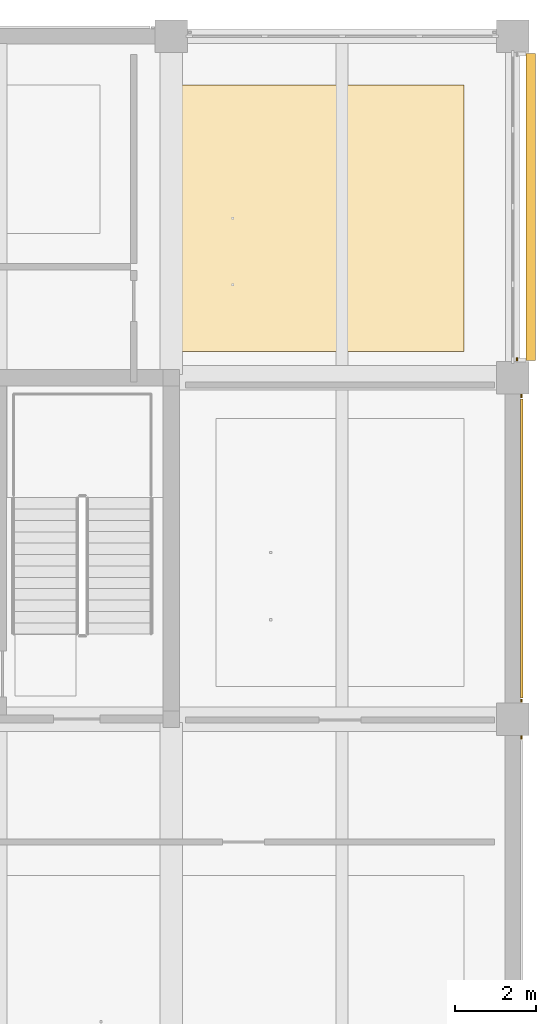
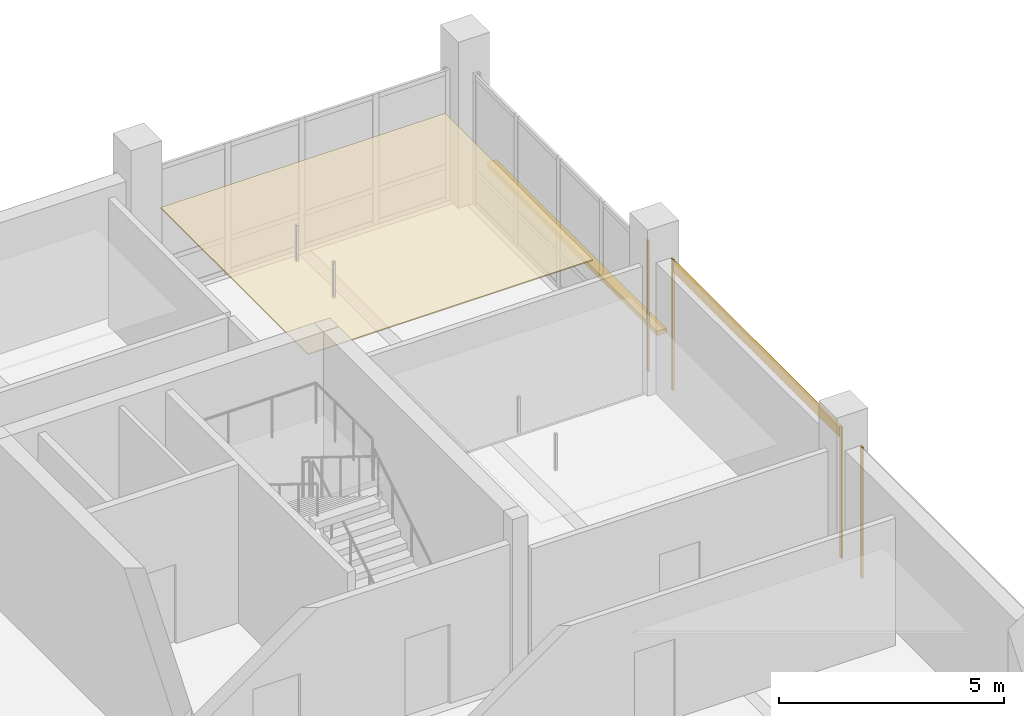
# One storey, part 31 of 35: 6 coverings, 1 shading device.
"""IFC4 building model written with IfcOpenShell, lengths in metres."""

from ifc_helpers import new_model, si_unit, direction, frame, origin, origin_2d, place, context, subcontext, project, spatial, polyline, rectangle, outline, extrude, material, layer, layer_set, type_object, element, save


model = new_model("IFC4")

# Units and contexts
model_context = context("Model", 3, precision=1e-05, world=origin(), true_north=direction((0.0, 1.0)))
body_context = subcontext(model_context, "Body", "Model", "MODEL_VIEW")
ifc_project = project(units=[si_unit("LENGTHUNIT", "METRE"), si_unit("AREAUNIT", "SQUARE_METRE"), si_unit("VOLUMEUNIT", "CUBIC_METRE"), si_unit("PLANEANGLEUNIT", "RADIAN"), si_unit("MASSUNIT", "GRAM", prefix="KILO")], contexts=[model_context])

# Site, building, storey
site_placement = place(None, origin())
site = spatial("IfcSite", under=ifc_project, at=site_placement, CompositionType="ELEMENT")
building_placement = place(site_placement, origin())
building = spatial("IfcBuilding", under=site, at=building_placement, Name="Telukmera Botanical Conservatory", CompositionType="ELEMENT")
storey_placement = place(building_placement, frame((0.0, 0.0, 28.5)))
storey = spatial("IfcBuildingStorey", under=building, at=storey_placement, Name="L06", CompositionType="ELEMENT", Elevation=28.5)

# Coverings
ifc_material_1 = material(Name="Mineral fibre acoustic ceiling")
ifc_layer_1 = layer(ifc_material_1, 0.030029296875)
ifc_layer_set_1 = layer_set([ifc_layer_1], Name="Mineral fibre acoustic ceiling")
covering_type_1 = type_object("IfcCoveringType", Name="COV-CEIL-30", PredefinedType="CEILING", material=ifc_layer_set_1)
covering_1_placement = place(storey_placement, frame((0.0, 0.0, 3.320068359375)))
element("IfcCovering", 1, at=covering_1_placement, inside=storey, type_object=covering_type_1, Name="L06 Curatorial Director Office Suspended Acoustic Ceiling", PredefinedType="CEILING", context=body_context, shape_type="SweptSolid", body=[
    extrude(outline(polyline([(100.699951171875, 35.050048828125), (108.0, 35.050048828125), (108.0, 41.60009765625), (100.699951171875, 41.60009765625), (100.699951171875, 35.050048828125)])), origin(), (0.0, 0.0, 1.0), 0.030029296875),
])
ifc_material_2 = material(Name="Granite-faced precast concrete C40/50", Category="masonry")
ifc_layer_2 = layer(ifc_material_2, 0.0400390625)
ifc_layer_set_2 = layer_set([ifc_layer_2], Name="Granite-faced precast concrete C40/50")
covering_type_2 = type_object("IfcCoveringType", Name="Granite Precast Column Pier Reveal Casing", PredefinedType="CLADDING", material=ifc_layer_set_2)
for number, where, z_axis, x_axis, name in (
    (2, (109.409912109375, 25.548095703125, 0.0), (0.0, 0.0, 1.0), (0.0, 1.0, 0.0), "Granite Pier Reveal V4:L06:E2 R"),
    (3, (109.409912109375, 26.451904296875, 0.0), (0.0, 0.0, 1.0), (0.0, 1.0, 0.0), "Granite Pier Reveal V4:L06:E3 L"),
    (4, (109.409912109375, 33.947998046875, 0.0), (0.0, 0.0, 1.0), (0.0, 1.0, 0.0), "Granite Pier Reveal V4:L06:E3 R"),
    (5, (109.300048828125, 34.85205078125, 0.0), (0.0, 0.0, 1.0), (0.0, 1.0, 0.0), "Granite Pier Reveal V4:L06:E4 L"),
):
    element("IfcCovering", number, at=place(storey_placement, frame(where, z_axis=z_axis, x_axis=x_axis)), inside=storey, type_object=covering_type_2, Name=name, PredefinedType="CLADDING", context=body_context, shape_type="SweptSolid", body=[
        extrude(rectangle(XDim=0.080078125, YDim=0.0400390625, at=origin_2d()), origin(), (0.0, 0.0, 1.0), 3.550048828125),
    ])

# Shading device
ifc_material_3 = material(Name="Perforated terracotta-anodised aluminium 6063-T6", Category="masonry")
ifc_layer_3 = layer(ifc_material_3, 0.044921875)
ifc_layer_set_3 = layer_set([ifc_layer_3], Name="Perforated terracotta-anodised aluminium 6063-T6")
shading_device_type = type_object("IfcShadingDeviceType", Name="Perforated Terracotta Aluminium Monsoon Brise Soleil", PredefinedType="JALOUSIE", material=ifc_layer_set_3)
shading_device_placement = place(storey_placement, frame((109.639892578125, 38.60009765625, 0.889892578125), z_axis=(0.0, 0.0, 1.0), x_axis=(0.0, 1.0, 0.0)))
element("IfcShadingDevice", 6, at=shading_device_placement, inside=storey, type_object=shading_device_type, Name="Monsoon Shading BS01 V4:L06:E4", PredefinedType="JALOUSIE", context=body_context, shape_type="SweptSolid", body=[
    extrude(rectangle(XDim=7.555908203125, YDim=0.239990234375, at=origin_2d()), origin(), (0.0, 0.0, 1.0), 0.1201171875),
])

# Covering
ifc_material_4 = material(Name="Terracotta-faced precast concrete C40/50", Category="masonry")
ifc_layer_4 = layer(ifc_material_4, 0.06005859375)
ifc_layer_set_4 = layer_set([ifc_layer_4], Name="Terracotta-faced precast concrete C40/50")
covering_type_3 = type_object("IfcCoveringType", Name="Polychrome Terracotta Facade Band Cladding", PredefinedType="CLADDING", material=ifc_layer_set_4)
covering_2_placement = place(storey_placement, frame((109.419921875, 30.199951171875, 3.22998046875), z_axis=(0.0, 0.0, 1.0), x_axis=(0.0, 1.0, 0.0)))
element("IfcCovering", 7, at=covering_2_placement, inside=storey, type_object=covering_type_3, Name="Polychrome Terracotta Band V4:L06:E3", PredefinedType="CLADDING", context=body_context, shape_type="SweptSolid", body=[
    extrude(rectangle(XDim=7.35595703125, YDim=0.06005859375, at=origin_2d()), origin(), (0.0, 0.0, 1.0), 0.280029296875),
])

save(model, "model.ifc")
